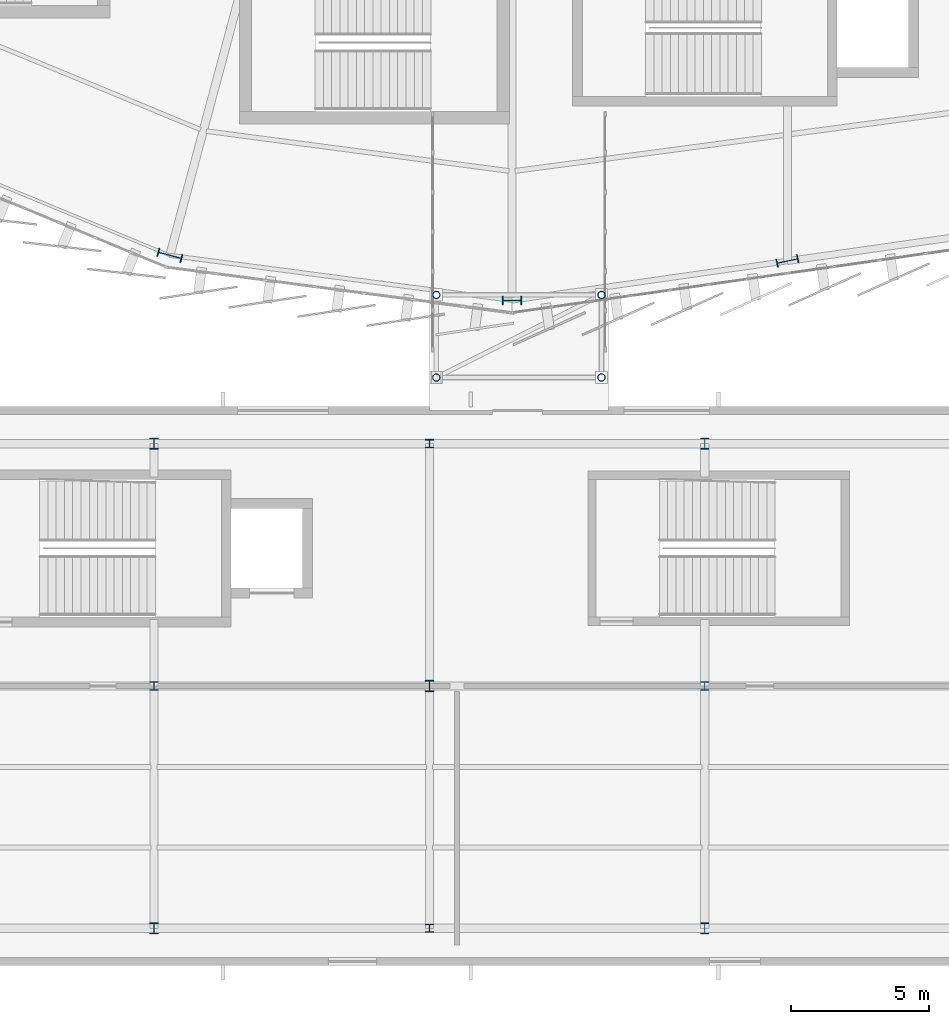
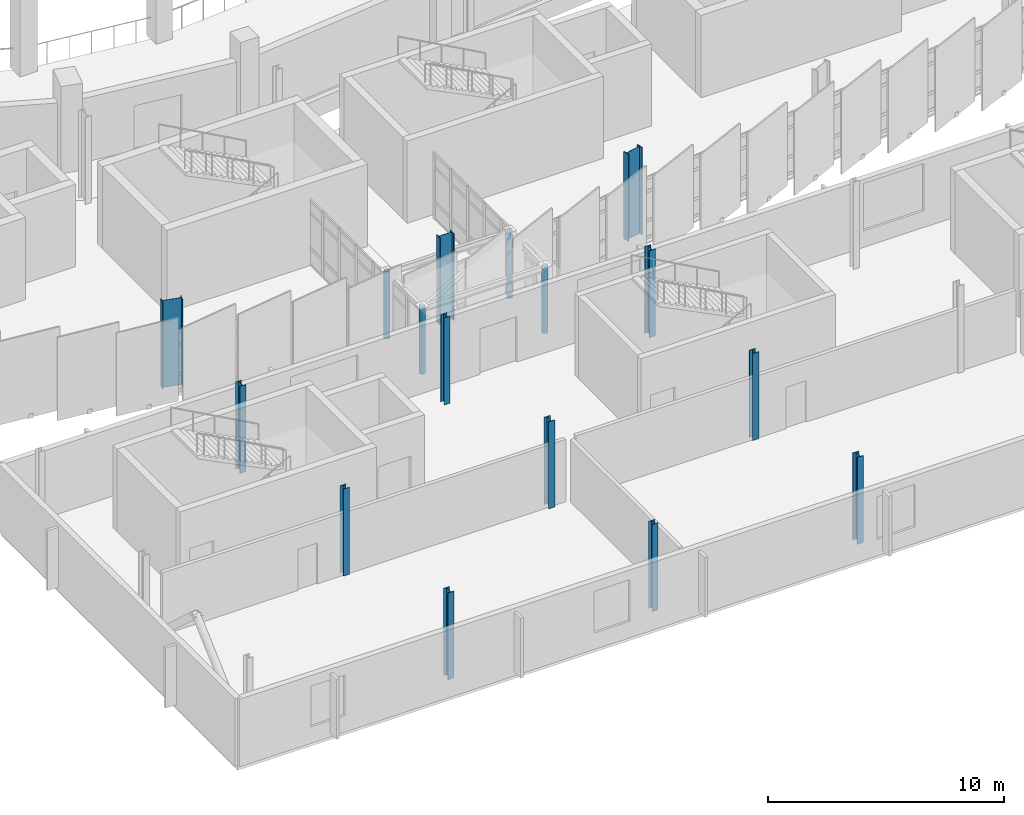
# One storey, part 5 of 125: 16 columns.
"""IFC4 building model written with IfcOpenShell, lengths in metres."""

from ifc_helpers import new_model, si_unit, direction, frame, origin, origin_2d, place, context, subcontext, project, spatial, hollow_circle, i_section, extrude, material, material_profile, profile_set, type_object, element, save


model = new_model("IFC4")

# Units and contexts
model_context = context("Model", 3, precision=1e-05, world=origin(), true_north=direction((0.0, 1.0)))
body_context = subcontext(model_context, "Body", "Model", "MODEL_VIEW")
ifc_project = project(units=[si_unit("LENGTHUNIT", "METRE"), si_unit("AREAUNIT", "SQUARE_METRE"), si_unit("VOLUMEUNIT", "CUBIC_METRE"), si_unit("PLANEANGLEUNIT", "RADIAN"), si_unit("MASSUNIT", "GRAM", prefix="KILO")], contexts=[model_context])

# Site, building, storey
site_placement = place(None, origin())
site = spatial("IfcSite", under=ifc_project, at=site_placement, CompositionType="ELEMENT")
building_placement = place(site_placement, origin())
building = spatial("IfcBuilding", under=site, at=building_placement, Name="Sohan Crest Arena", CompositionType="ELEMENT")
storey_placement = place(building_placement, frame((0.0, 0.0, 9.0)))
storey = spatial("IfcBuildingStorey", under=building, at=storey_placement, Name="L02", CompositionType="ELEMENT", Elevation=9.0)

# Columns
ifc_material = material(Name="Steel S355", Category="steel")
ifc_material_profile_1 = material_profile(ifc_material, i_section(OverallWidth=0.300048828125, OverallDepth=0.300048828125, WebThickness=0.010986328125, FlangeThickness=0.01904296875, at=origin_2d()), Name="HEB 300")
ifc_profile_set_1 = profile_set([ifc_material_profile_1], Name="Steel S355")
column_type_1 = type_object("IfcColumnType", Name="STR-COL-C17", PredefinedType="COLUMN", material=ifc_profile_set_1)
for number, where, z_axis, x_axis, name in (
    (1, (85.0, 16.0, 0.0), (0.0, 0.0, 1.0), (1.0, 0.0, 0.0), "Structural column COL-V5C-02-2-L02"),
    (2, (95.0, 7.199951171875, 0.0), (0.0, 0.0, 1.0), (1.0, 0.0, 0.0), "Structural column COL-V5C-03-1-L02"),
    (3, (95.0, 24.800048828125, 0.0), (0.0, 0.0, 1.0), (1.0, 0.0, 0.0), "Structural column COL-V5C-03-3-L02"),
    (4, (105.0, 16.0, 0.0), (0.0, 0.0, 1.0), (1.0, 0.0, 0.0), "Structural column COL-V5C-04-2-L02"),
):
    element("IfcColumn", number, at=place(storey_placement, frame(where, z_axis=z_axis, x_axis=x_axis)), inside=storey, type_object=column_type_1, Name=name, PredefinedType="COLUMN", context=body_context, shape_type="SweptSolid", body=[
        extrude(i_section(OverallWidth=0.300048828125, OverallDepth=0.300048828125, WebThickness=0.010986328125, FlangeThickness=0.01904296875, at=origin_2d()), origin(), (0.0, 0.0, 1.0), 4.5),
    ])
ifc_material_profile_2 = material_profile(ifc_material, i_section(OverallWidth=0.300048828125, OverallDepth=0.39990234375, WebThickness=0.013427734375, FlangeThickness=0.02392578125, at=origin_2d()), Name="HEB 400")
ifc_profile_set_2 = profile_set([ifc_material_profile_2], Name="Steel S355")
column_type_2 = type_object("IfcColumnType", Name="STR-COL-C18", PredefinedType="COLUMN", material=ifc_profile_set_2)
for number, where, z_axis, x_axis, name in (
    (5, (85.0, 7.199951171875, 0.0), (0.0, 0.0, 1.0), (1.0, 0.0, 0.0), "Structural column COL-V5C-02-1-L02"),
    (6, (85.0, 24.800048828125, 0.0), (0.0, 0.0, 1.0), (1.0, 0.0, 0.0), "Structural column COL-V5C-02-3-L02"),
    (7, (95.0, 16.0, 0.0), (0.0, 0.0, 1.0), (1.0, 0.0, 0.0), "Structural column COL-V5C-03-2-L02"),
    (8, (105.0, 7.199951171875, 0.0), (0.0, 0.0, 1.0), (1.0, 0.0, 0.0), "Structural column COL-V5C-04-1-L02"),
    (9, (105.0, 24.800048828125, 0.0), (0.0, 0.0, 1.0), (1.0, 0.0, 0.0), "Structural column COL-V5C-04-3-L02"),
):
    element("IfcColumn", number, at=place(storey_placement, frame(where, z_axis=z_axis, x_axis=x_axis)), inside=storey, type_object=column_type_2, Name=name, PredefinedType="COLUMN", context=body_context, shape_type="SweptSolid", body=[
        extrude(i_section(OverallWidth=0.300048828125, OverallDepth=0.39990234375, WebThickness=0.013427734375, FlangeThickness=0.02392578125, at=origin_2d()), origin(), (0.0, 0.0, 1.0), 4.5),
    ])
ifc_material_profile_3 = material_profile(ifc_material, i_section(OverallWidth=0.300048828125, OverallDepth=0.699951171875, WebThickness=0.01708984375, FlangeThickness=0.031982421875, at=origin_2d()), Name="HEB 700")
ifc_profile_set_3 = profile_set([ifc_material_profile_3], Name="Steel S355")
column_type_3 = type_object("IfcColumnType", Name="STR-COL-C21", PredefinedType="COLUMN", material=ifc_profile_set_3)
column_1_placement = place(storey_placement, frame((98.0, 30.0, 0.0), z_axis=(0.0, 0.0, 1.0), x_axis=(0.0, 1.0, 0.0)))
element("IfcColumn", 10, at=column_1_placement, inside=storey, type_object=column_type_3, Name="Structural column COL-V2O-13-L02", PredefinedType="COLUMN", context=body_context, shape_type="SweptSolid", body=[
    extrude(i_section(OverallWidth=0.300048828125, OverallDepth=0.699951171875, WebThickness=0.01708984375, FlangeThickness=0.031982421875, at=origin_2d()), origin(), (0.0, 0.0, 1.0), 4.5),
])
ifc_material_profile_4 = material_profile(ifc_material, i_section(OverallWidth=0.300048828125, OverallDepth=0.800048828125, WebThickness=0.017578125, FlangeThickness=0.032958984375, at=origin_2d()), Name="HEB 800")
ifc_profile_set_4 = profile_set([ifc_material_profile_4], Name="Steel S355")
column_type_4 = type_object("IfcColumnType", Name="STR-COL-C22", PredefinedType="COLUMN", material=ifc_profile_set_4)
column_2_placement = place(storey_placement, frame((108.0, 31.428955078125, 0.0), z_axis=(0.0, 0.0, 1.0), x_axis=(-0.209618562904, 0.977783236759, 0.0)))
element("IfcColumn", 11, at=column_2_placement, inside=storey, type_object=column_type_4, Name="Structural column COL-V2O-14-L02", PredefinedType="COLUMN", context=body_context, shape_type="SweptSolid", body=[
    extrude(i_section(OverallWidth=0.300048828125, OverallDepth=0.800048828125, WebThickness=0.017578125, FlangeThickness=0.032958984375, at=origin_2d()), origin(), (0.0, 0.0, 1.0), 4.5),
])
ifc_material_profile_5 = material_profile(ifc_material, i_section(OverallWidth=0.300048828125, OverallDepth=0.89990234375, WebThickness=0.0185546875, FlangeThickness=0.034912109375, at=origin_2d()), Name="HEB 900")
ifc_profile_set_5 = profile_set([ifc_material_profile_5], Name="Steel S355")
column_type_5 = type_object("IfcColumnType", Name="STR-COL-C23", PredefinedType="COLUMN", material=ifc_profile_set_5)
column_3_placement = place(storey_placement, frame((85.576904296875, 31.635986328125, 0.0), z_axis=(0.0, 0.0, 1.0), x_axis=(0.258819045103, 0.965925826289, 0.0)))
element("IfcColumn", 12, at=column_3_placement, inside=storey, type_object=column_type_5, Name="Structural column COL-V2O-12-L02", PredefinedType="COLUMN", context=body_context, shape_type="SweptSolid", body=[
    extrude(i_section(OverallWidth=0.300048828125, OverallDepth=0.89990234375, WebThickness=0.0185546875, FlangeThickness=0.034912109375, at=origin_2d()), origin(), (0.0, 0.0, 1.0), 4.5),
])
ifc_material_profile_6 = material_profile(ifc_material, hollow_circle(Radius=0.136474609375, WallThickness=0.012451171875, at=origin_2d()), Name="CHS 273x12.5")
ifc_profile_set_6 = profile_set([ifc_material_profile_6], Name="Steel S355")
column_type_6 = type_object("IfcColumnType", Name="STR-COL-C25", PredefinedType="COLUMN", material=ifc_profile_set_6)
for number, where, z_axis, x_axis, name in (
    (13, (95.25, 27.199951171875, 0.0), (0.0, 0.0, 1.0), (1.0, 0.0, 0.0), "Structural column COL-BC-BR-S1-1-L02"),
    (14, (95.25, 30.199951171875, 0.0), (0.0, 0.0, 1.0), (1.0, 0.0, 0.0), "Structural column COL-BC-BR-S1-2-L02"),
    (15, (101.25, 27.199951171875, 0.0), (0.0, 0.0, 1.0), (1.0, 0.0, 0.0), "Structural column COL-BC-BR-S1-3-L02"),
    (16, (101.25, 30.199951171875, 0.0), (0.0, 0.0, 1.0), (1.0, 0.0, 0.0), "Structural column COL-BC-BR-S1-4-L02"),
):
    element("IfcColumn", number, at=place(storey_placement, frame(where, z_axis=z_axis, x_axis=x_axis)), inside=storey, type_object=column_type_6, Name=name, PredefinedType="COLUMN", context=body_context, shape_type="SweptSolid", body=[
        extrude(hollow_circle(Radius=0.136474609375, WallThickness=0.012451171875, at=origin_2d()), origin(), (0.0, 0.0, 1.0), 3.47509765625),
    ])

save(model, "model.ifc")
